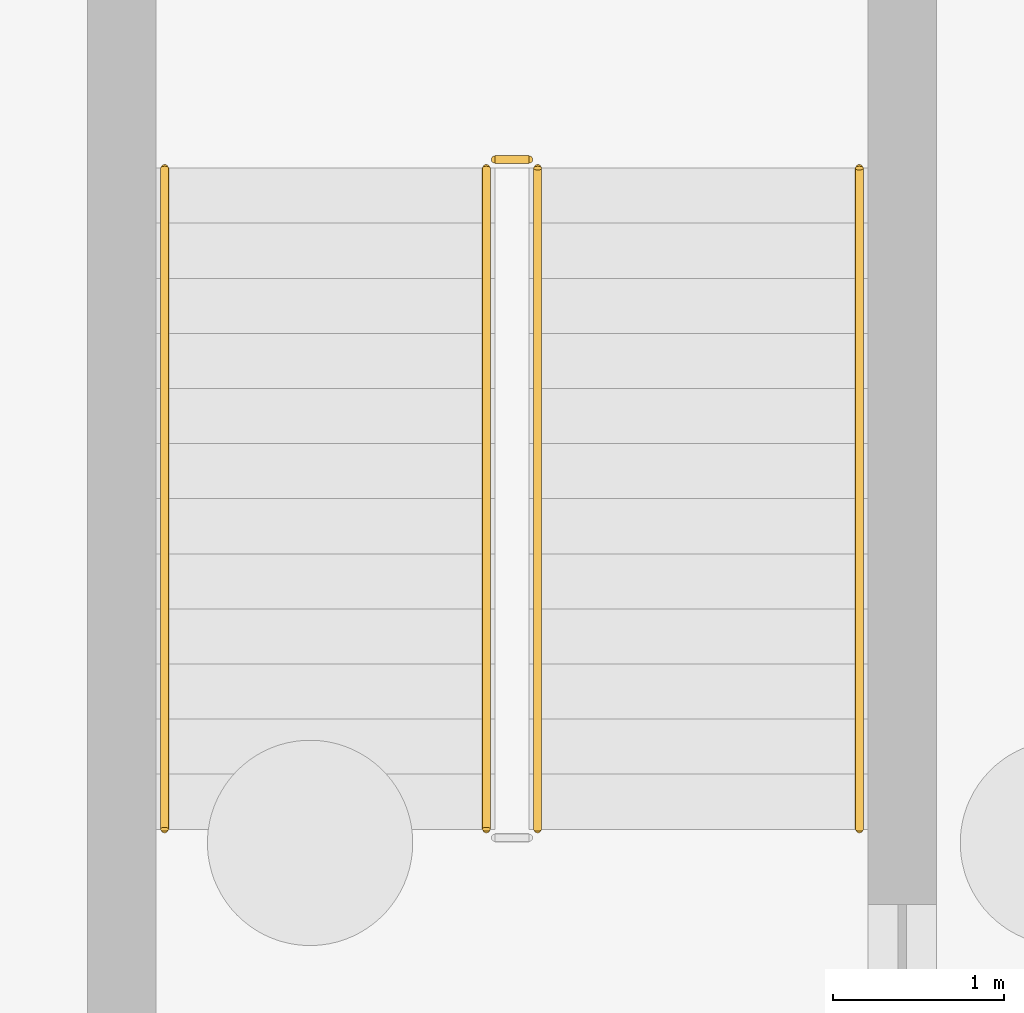
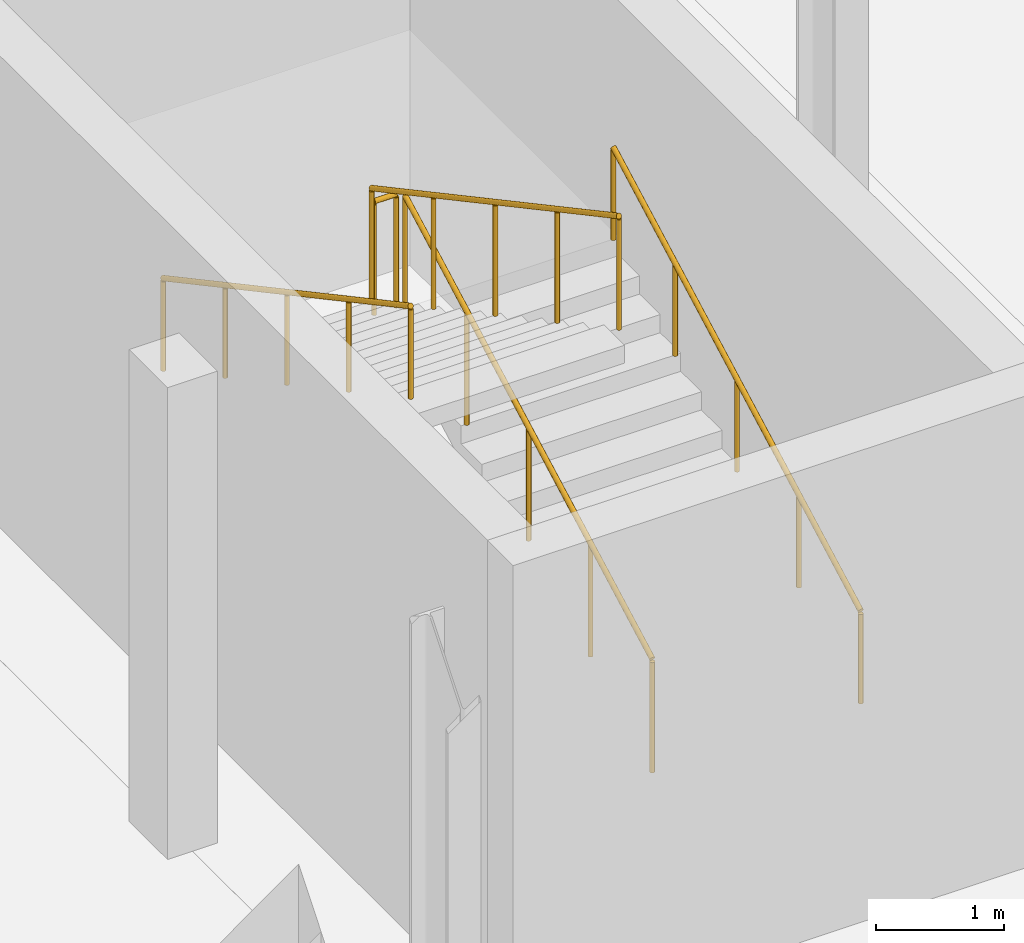
# One storey, part 37 of 45: 5 railings.
"""IFC4 building model written with IfcOpenShell, lengths in metres."""

from ifc_helpers import new_model, si_unit, direction, frame, origin, origin_2d, place, context, subcontext, project, spatial, circle, extrude, material, type_object, element, save


model = new_model("IFC4")

# Units and contexts
model_context = context("Model", 3, precision=1e-05, world=origin(), true_north=direction((0.0, 1.0)))
body_context = subcontext(model_context, "Body", "Model", "MODEL_VIEW")
ifc_project = project(units=[si_unit("LENGTHUNIT", "METRE"), si_unit("AREAUNIT", "SQUARE_METRE"), si_unit("VOLUMEUNIT", "CUBIC_METRE"), si_unit("PLANEANGLEUNIT", "RADIAN"), si_unit("MASSUNIT", "GRAM", prefix="KILO")], contexts=[model_context])

# Site, building, storey
site_placement = place(None, origin())
site = spatial("IfcSite", under=ifc_project, at=site_placement, CompositionType="ELEMENT")
building_placement = place(site_placement, origin())
building = spatial("IfcBuilding", under=site, at=building_placement, Name="Sefraquen Railside Congress Hotel", CompositionType="ELEMENT")
storey_placement = place(building_placement, frame((0.0, 0.0, -4.5)))
storey = spatial("IfcBuildingStorey", under=building, at=storey_placement, Name="B01", CompositionType="ELEMENT", Elevation=-4.5)

# Railings
ifc_material = material(Name="Patinated wrought architectural bronze", Category="metal")
railing_type_1 = type_object("IfcRailingType", Name="TRL-BAL-110", PredefinedType="BALUSTRADE", material=ifc_material)
railing_1_placement = place(storey_placement, frame((106.72998046875, 56.8798828125, 0.173095703125)))
element("IfcRailing", 1, at=railing_1_placement, inside=storey, type_object=railing_type_1, Name="B01 ST-M02 stair guard 1", PredefinedType="BALUSTRADE", context=body_context, shape_type="SweptSolid", body=[
    extrude(circle(Radius=0.02392578125, at=origin_2d()), frame((0.0, 0.0, 1.076171875), z_axis=(0.0, 0.880824687122, 0.473442573662), x_axis=(-1.0, 0.0, 0.0)), (0.0, 0.0, 1.0), 4.38671875),
    extrude(circle(Radius=0.02099609375, at=origin_2d()), origin(), (0.0, 0.0, 1.0), 1.052001953125),
    extrude(circle(Radius=0.02099609375, at=origin_2d()), frame((0.0, 0.966064453125, 0.519287109375)), (0.0, 0.0, 1.0), 1.052001953125),
    extrude(circle(Radius=0.02099609375, at=origin_2d()), frame((0.0, 1.93212890625, 1.03857421875)), (0.0, 0.0, 1.0), 1.052001953125),
    extrude(circle(Radius=0.02099609375, at=origin_2d()), frame((0.0, 2.89794921875, 1.5576171875)), (0.0, 0.0, 1.0), 1.052001953125),
    extrude(circle(Radius=0.02099609375, at=origin_2d()), frame((0.0, 3.864013671875, 2.076904296875)), (0.0, 0.0, 1.0), 1.052001953125),
])
railing_2_placement = place(storey_placement, frame((106.679931640625, 60.7939453125, 2.25)))
element("IfcRailing", 2, at=railing_2_placement, inside=storey, type_object=railing_type_1, Name="B01 ST-M02 stair guard 2", PredefinedType="BALUSTRADE", context=body_context, shape_type="SweptSolid", body=[
    extrude(circle(Radius=0.02392578125, at=origin_2d()), frame((0.0, 0.0, 1.076171875), z_axis=(-1.0, 0.0, 0.0), x_axis=(0.0, -1.0, 0.0)), (0.0, 0.0, 1.0), 0.199951171875),
    extrude(circle(Radius=0.02099609375, at=origin_2d()), origin(), (0.0, 0.0, 1.0), 1.052001953125),
    extrude(circle(Radius=0.02099609375, at=origin_2d()), frame((-0.199951171875, 0.0, 0.0)), (0.0, 0.0, 1.0), 1.052001953125),
])
railing_3_placement = place(storey_placement, frame((106.429931640625, 60.743896484375, 2.423095703125)))
element("IfcRailing", 3, at=railing_3_placement, inside=storey, type_object=railing_type_1, Name="B01 ST-M02 stair guard 3", PredefinedType="BALUSTRADE", context=body_context, shape_type="SweptSolid", body=[
    extrude(circle(Radius=0.02392578125, at=origin_2d()), frame((0.0, 0.0, 1.076171875), z_axis=(0.0, -0.880824687122, 0.473442573662), x_axis=(1.0, 0.0, 0.0)), (0.0, 0.0, 1.0), 4.38671875),
    extrude(circle(Radius=0.02099609375, at=origin_2d()), origin(), (0.0, 0.0, 1.0), 1.052001953125),
    extrude(circle(Radius=0.02099609375, at=origin_2d()), frame((0.0, -0.966064453125, 0.519287109375)), (0.0, 0.0, 1.0), 1.052001953125),
    extrude(circle(Radius=0.02099609375, at=origin_2d()), frame((0.0, -1.93212890625, 1.03857421875)), (0.0, 0.0, 1.0), 1.052001953125),
    extrude(circle(Radius=0.02099609375, at=origin_2d()), frame((0.0, -2.89794921875, 1.5576171875)), (0.0, 0.0, 1.0), 1.052001953125),
    extrude(circle(Radius=0.02099609375, at=origin_2d()), frame((0.0, -3.864013671875, 2.076904296875)), (0.0, 0.0, 1.0), 1.052001953125),
])
railing_type_2 = type_object("IfcRailingType", Name="TRL-HR-090", PredefinedType="HANDRAIL", material=ifc_material)
railing_4_placement = place(storey_placement, frame((108.610107421875, 56.8798828125, 0.173095703125)))
element("IfcRailing", 4, at=railing_4_placement, inside=storey, type_object=railing_type_2, Name="B01 ST-M02 stair handrail 1", PredefinedType="HANDRAIL", context=body_context, shape_type="SweptSolid", body=[
    extrude(circle(Radius=0.02392578125, at=origin_2d()), frame((0.0, 0.0, 0.8759765625), z_axis=(0.0, 0.880824687122, 0.473442573662), x_axis=(-1.0, 0.0, 0.0)), (0.0, 0.0, 1.0), 4.38671875),
    extrude(circle(Radius=0.02099609375, at=origin_2d()), origin(), (0.0, 0.0, 1.0), 0.851806640625),
    extrude(circle(Radius=0.02099609375, at=origin_2d()), frame((0.0, 0.966064453125, 0.519287109375)), (0.0, 0.0, 1.0), 0.851806640625),
    extrude(circle(Radius=0.02099609375, at=origin_2d()), frame((0.0, 1.93212890625, 1.03857421875)), (0.0, 0.0, 1.0), 0.851806640625),
    extrude(circle(Radius=0.02099609375, at=origin_2d()), frame((0.0, 2.89794921875, 1.5576171875)), (0.0, 0.0, 1.0), 0.851806640625),
    extrude(circle(Radius=0.02099609375, at=origin_2d()), frame((0.0, 3.864013671875, 2.076904296875)), (0.0, 0.0, 1.0), 0.851806640625),
])
railing_5_placement = place(storey_placement, frame((104.550048828125, 60.743896484375, 2.423095703125)))
element("IfcRailing", 5, at=railing_5_placement, inside=storey, type_object=railing_type_2, Name="B01 ST-M02 stair handrail 2", PredefinedType="HANDRAIL", context=body_context, shape_type="SweptSolid", body=[
    extrude(circle(Radius=0.02392578125, at=origin_2d()), frame((0.0, 0.0, 0.8759765625), z_axis=(0.0, -0.880824687122, 0.473442573662), x_axis=(1.0, 0.0, 0.0)), (0.0, 0.0, 1.0), 4.38671875),
    extrude(circle(Radius=0.02099609375, at=origin_2d()), origin(), (0.0, 0.0, 1.0), 0.851806640625),
    extrude(circle(Radius=0.02099609375, at=origin_2d()), frame((0.0, -0.966064453125, 0.519287109375)), (0.0, 0.0, 1.0), 0.851806640625),
    extrude(circle(Radius=0.02099609375, at=origin_2d()), frame((0.0, -1.93212890625, 1.03857421875)), (0.0, 0.0, 1.0), 0.851806640625),
    extrude(circle(Radius=0.02099609375, at=origin_2d()), frame((0.0, -2.89794921875, 1.5576171875)), (0.0, 0.0, 1.0), 0.851806640625),
    extrude(circle(Radius=0.02099609375, at=origin_2d()), frame((0.0, -3.864013671875, 2.076904296875)), (0.0, 0.0, 1.0), 0.851806640625),
])

save(model, "model.ifc")
